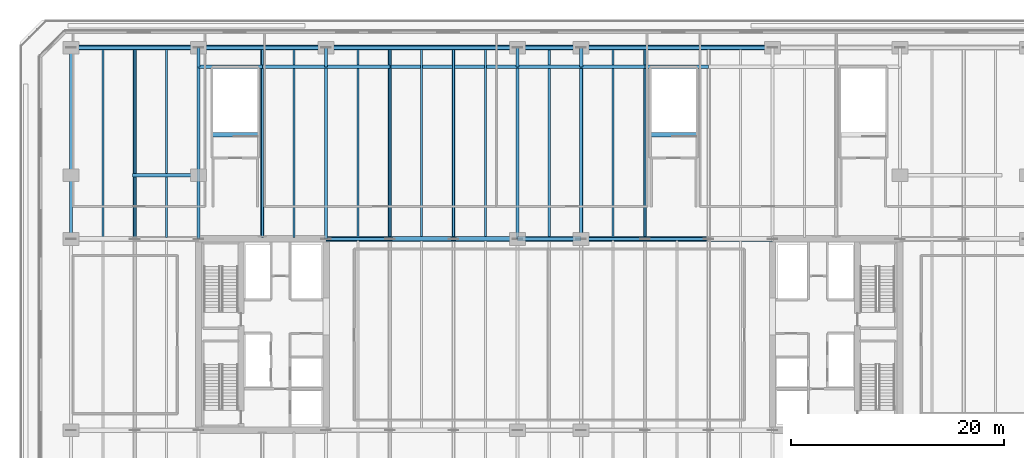
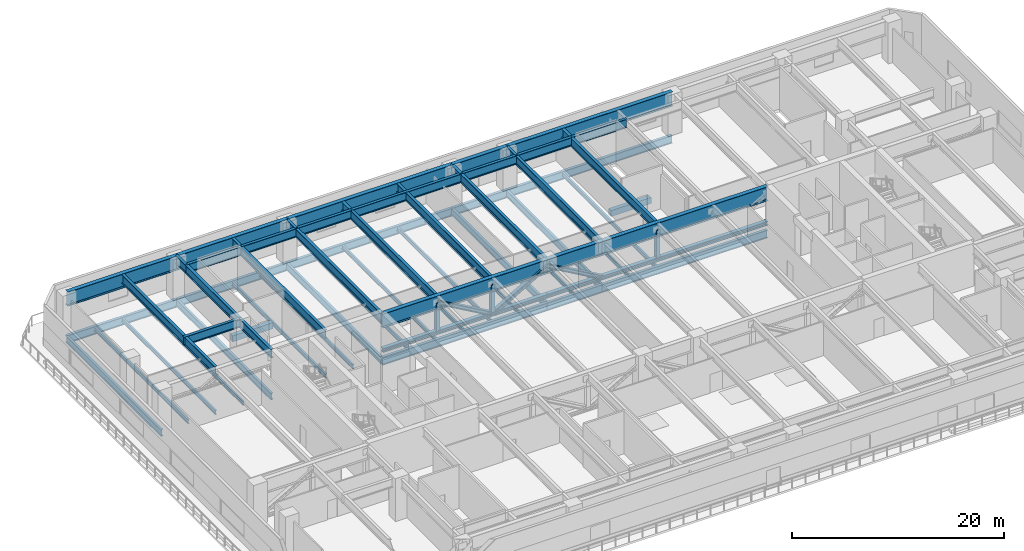
# One storey, part 3 of 25: 58 beams, 9 members.
"""IFC4 building model written with IfcOpenShell, lengths in metres."""

from ifc_helpers import new_model, si_unit, direction, frame, origin, origin_2d, place, context, subcontext, project, spatial, rectangle, i_section, extrude, material, material_profile, profile_set, type_object, element, save


model = new_model("IFC4")

# Units and contexts
model_context = context("Model", 3, precision=1e-05, world=origin(), true_north=direction((0.0, 1.0)))
body_context = subcontext(model_context, "Body", "Model", "MODEL_VIEW")
ifc_project = project(units=[si_unit("LENGTHUNIT", "METRE"), si_unit("AREAUNIT", "SQUARE_METRE"), si_unit("VOLUMEUNIT", "CUBIC_METRE"), si_unit("PLANEANGLEUNIT", "RADIAN"), si_unit("MASSUNIT", "GRAM", prefix="KILO")], contexts=[model_context])

# Site, building, storey
site_placement = place(None, origin())
site = spatial("IfcSite", under=ifc_project, at=site_placement, CompositionType="ELEMENT")
building_placement = place(site_placement, origin())
building = spatial("IfcBuilding", under=site, at=building_placement, Name="Tanjung Sevakor Pilgrim Tower", CompositionType="ELEMENT")
storey_placement = place(building_placement, frame((0.0, 0.0, 24.090087890625)))
storey = spatial("IfcBuildingStorey", under=building, at=storey_placement, Name="L06", CompositionType="ELEMENT", Elevation=24.090087890625)

# Beams
ifc_material_1 = material(Name="Steel S355J2", Category="steel")
ifc_material_profile_1 = material_profile(ifc_material_1, i_section(OverallWidth=0.26806640625, OverallDepth=0.769775390625, WebThickness=0.015625, FlangeThickness=0.025390625, FilletRadius=0.0166015625, at=origin_2d()))
ifc_profile_set_1 = profile_set([ifc_material_profile_1], Name="Steel S355J2")
beam_type_1 = type_object("IfcBeamType", Name="BM-B-G1-UB_762x267x197", PredefinedType="BEAM", material=ifc_profile_set_1)
for number, where, z_axis, x_axis, name in (
    (1, (12.0, 42.60009765625, -0.735107421875), (0.0, 1.0, 0.0), (-1.0, 0.0, 0.0), "L06 Podium Girder NS X12-3"),
    (2, (24.0, 42.60009765625, -0.735107421875), (0.0, 1.0, 0.0), (-1.0, 0.0, 0.0), "L06 Podium Girder NS X24-2"),
    (3, (36.0, 42.60009765625, -0.735107421875), (0.0, 1.0, 0.0), (-1.0, 0.0, 0.0), "L06 Podium Girder NS X36-2"),
    (4, (54.0, 42.60009765625, -0.735107421875), (0.0, 1.0, 0.0), (-1.0, 0.0, 0.0), "L06 Podium Girder NS X54-3"),
    (5, (60.0, 42.60009765625, -0.735107421875), (0.0, 1.0, 0.0), (-1.0, 0.0, 0.0), "L06 Podium Girder NS X60-3"),
):
    element("IfcBeam", number, at=place(storey_placement, frame(where, z_axis=z_axis, x_axis=x_axis)), inside=storey, type_object=beam_type_1, Name=name, PredefinedType="BEAM", context=body_context, shape_type="SweptSolid", body=[
        extrude(i_section(OverallWidth=0.26806640625, OverallDepth=0.769775390625, WebThickness=0.015625, FlangeThickness=0.025390625, FilletRadius=0.0166015625, at=origin_2d()), origin(), (0.0, 0.0, 1.0), 18.0),
    ])
ifc_material_2 = material(Name="Steel S460M", Category="steel")
ifc_material_profile_2 = material_profile(ifc_material_2, i_section(OverallWidth=0.302001953125, OverallDepth=1.008056640625, WebThickness=0.02099609375, FlangeThickness=0.0400390625, FilletRadius=0.030029296875, at=origin_2d()))
ifc_profile_set_2 = profile_set([ifc_material_profile_2], Name="Steel S460M")
beam_type_2 = type_object("IfcBeamType", Name="BM-B-G7-HE_1000M", PredefinedType="BEAM", material=ifc_profile_set_2)
beam_1_placement = place(storey_placement, frame((18.0, 42.824951171875, 4.205810546875), z_axis=(0.0, 1.0, 0.0), x_axis=(-1.0, 0.0, 0.0)))
element("IfcBeam", 6, at=beam_1_placement, inside=storey, type_object=beam_type_2, Name="TC-2 L06 Transfer Truss Chord NS X18.0-3", PredefinedType="BEAM", context=body_context, shape_type="SweptSolid", body=[
    extrude(i_section(OverallWidth=0.302001953125, OverallDepth=1.008056640625, WebThickness=0.02099609375, FlangeThickness=0.0400390625, FilletRadius=0.030029296875, at=origin_2d()), origin(), (0.0, 0.0, 1.0), 17.550048828125),
])
beam_2_placement = place(storey_placement, frame((24.0, 42.60009765625, 4.205810546875), z_axis=(0.0, 1.0, 0.0), x_axis=(-1.0, 0.0, 0.0)))
element("IfcBeam", 7, at=beam_2_placement, inside=storey, type_object=beam_type_2, Name="TC-2 L06 Transfer Truss Chord NS X24.0-4", PredefinedType="BEAM", context=body_context, shape_type="SweptSolid", body=[
    extrude(i_section(OverallWidth=0.302001953125, OverallDepth=1.008056640625, WebThickness=0.02099609375, FlangeThickness=0.0400390625, FilletRadius=0.030029296875, at=origin_2d()), origin(), (0.0, 0.0, 1.0), 6.0),
])
beam_3_placement = place(storey_placement, frame((24.0, 48.60009765625, 4.205810546875), z_axis=(0.0, 1.0, 0.0), x_axis=(-1.0, 0.0, 0.0)))
element("IfcBeam", 8, at=beam_3_placement, inside=storey, type_object=beam_type_2, Name="TC-2 L06 Transfer Truss Chord NS X24.0-5", PredefinedType="BEAM", context=body_context, shape_type="SweptSolid", body=[
    extrude(i_section(OverallWidth=0.302001953125, OverallDepth=1.008056640625, WebThickness=0.02099609375, FlangeThickness=0.0400390625, FilletRadius=0.030029296875, at=origin_2d()), origin(), (0.0, 0.0, 1.0), 10.199951171875),
])
beam_4_placement = place(storey_placement, frame((24.0, 58.800048828125, 4.205810546875), z_axis=(0.0, 1.0, 0.0), x_axis=(-1.0, 0.0, 0.0)))
element("IfcBeam", 9, at=beam_4_placement, inside=storey, type_object=beam_type_2, Name="TC-2 L06 Transfer Truss Chord NS X24.0-6", PredefinedType="BEAM", context=body_context, shape_type="SweptSolid", body=[
    extrude(i_section(OverallWidth=0.302001953125, OverallDepth=1.008056640625, WebThickness=0.02099609375, FlangeThickness=0.0400390625, FilletRadius=0.030029296875, at=origin_2d()), origin(), (0.0, 0.0, 1.0), 1.800048828125),
])
beam_5_placement = place(storey_placement, frame((30.0, 42.824951171875, 4.205810546875), z_axis=(0.0, 1.0, 0.0), x_axis=(-1.0, 0.0, 0.0)))
element("IfcBeam", 10, at=beam_5_placement, inside=storey, type_object=beam_type_2, Name="TC-2 L06 Transfer Truss Chord NS X30.0-2", PredefinedType="BEAM", context=body_context, shape_type="SweptSolid", body=[
    extrude(i_section(OverallWidth=0.302001953125, OverallDepth=1.008056640625, WebThickness=0.02099609375, FlangeThickness=0.0400390625, FilletRadius=0.030029296875, at=origin_2d()), origin(), (0.0, 0.0, 1.0), 17.550048828125),
])
beam_6_placement = place(storey_placement, frame((36.0, 42.60009765625, 4.205810546875), z_axis=(0.0, 1.0, 0.0), x_axis=(-1.0, 0.0, 0.0)))
element("IfcBeam", 11, at=beam_6_placement, inside=storey, type_object=beam_type_2, Name="TC-2 L06 Transfer Truss Chord NS X36.0-3", PredefinedType="BEAM", context=body_context, shape_type="SweptSolid", body=[
    extrude(i_section(OverallWidth=0.302001953125, OverallDepth=1.008056640625, WebThickness=0.02099609375, FlangeThickness=0.0400390625, FilletRadius=0.030029296875, at=origin_2d()), origin(), (0.0, 0.0, 1.0), 16.199951171875),
])
beam_7_placement = place(storey_placement, frame((36.0, 58.800048828125, 4.205810546875), z_axis=(0.0, 1.0, 0.0), x_axis=(-1.0, 0.0, 0.0)))
element("IfcBeam", 12, at=beam_7_placement, inside=storey, type_object=beam_type_2, Name="TC-2 L06 Transfer Truss Chord NS X36.0-4", PredefinedType="BEAM", context=body_context, shape_type="SweptSolid", body=[
    extrude(i_section(OverallWidth=0.302001953125, OverallDepth=1.008056640625, WebThickness=0.02099609375, FlangeThickness=0.0400390625, FilletRadius=0.030029296875, at=origin_2d()), origin(), (0.0, 0.0, 1.0), 1.800048828125),
])
for number, where, z_axis, x_axis, name in (
    (13, (42.0, 42.824951171875, 4.205810546875), (0.0, 1.0, 0.0), (-1.0, 0.0, 0.0), "TC-2 L06 Transfer Truss Chord NS X42.0-3"),
    (14, (48.0, 42.824951171875, 4.205810546875), (0.0, 1.0, 0.0), (-1.0, 0.0, 0.0), "TC-2 L06 Transfer Truss Chord NS X48.0-3"),
):
    element("IfcBeam", number, at=place(storey_placement, frame(where, z_axis=z_axis, x_axis=x_axis)), inside=storey, type_object=beam_type_2, Name=name, PredefinedType="BEAM", context=body_context, shape_type="SweptSolid", body=[
        extrude(i_section(OverallWidth=0.302001953125, OverallDepth=1.008056640625, WebThickness=0.02099609375, FlangeThickness=0.0400390625, FilletRadius=0.030029296875, at=origin_2d()), origin(), (0.0, 0.0, 1.0), 17.550048828125),
    ])
beam_8_placement = place(storey_placement, frame((54.0, 42.60009765625, 4.205810546875), z_axis=(0.0, 1.0, 0.0), x_axis=(-1.0, 0.0, 0.0)))
element("IfcBeam", 15, at=beam_8_placement, inside=storey, type_object=beam_type_2, Name="TC-2 L06 Transfer Truss Chord NS X54.0-4", PredefinedType="BEAM", context=body_context, shape_type="SweptSolid", body=[
    extrude(i_section(OverallWidth=0.302001953125, OverallDepth=1.008056640625, WebThickness=0.02099609375, FlangeThickness=0.0400390625, FilletRadius=0.030029296875, at=origin_2d()), origin(), (0.0, 0.0, 1.0), 16.199951171875),
])
beam_9_placement = place(storey_placement, frame((54.0, 58.800048828125, 4.205810546875), z_axis=(0.0, 1.0, 0.0), x_axis=(-1.0, 0.0, 0.0)))
element("IfcBeam", 16, at=beam_9_placement, inside=storey, type_object=beam_type_2, Name="TC-2 L06 Transfer Truss Chord NS X54.0-5", PredefinedType="BEAM", context=body_context, shape_type="SweptSolid", body=[
    extrude(i_section(OverallWidth=0.302001953125, OverallDepth=1.008056640625, WebThickness=0.02099609375, FlangeThickness=0.0400390625, FilletRadius=0.030029296875, at=origin_2d()), origin(), (0.0, 0.0, 1.0), 1.800048828125),
])
beam_10_placement = place(storey_placement, frame((60.0, 42.60009765625, 4.205810546875), z_axis=(0.0, 1.0, 0.0), x_axis=(-1.0, 0.0, 0.0)))
element("IfcBeam", 17, at=beam_10_placement, inside=storey, type_object=beam_type_2, Name="TC-2 L06 Transfer Truss Chord NS X60.0-4", PredefinedType="BEAM", context=body_context, shape_type="SweptSolid", body=[
    extrude(i_section(OverallWidth=0.302001953125, OverallDepth=1.008056640625, WebThickness=0.02099609375, FlangeThickness=0.0400390625, FilletRadius=0.030029296875, at=origin_2d()), origin(), (0.0, 0.0, 1.0), 16.199951171875),
])
beam_11_placement = place(storey_placement, frame((60.0, 58.800048828125, 4.205810546875), z_axis=(0.0, 1.0, 0.0), x_axis=(-1.0, 0.0, 0.0)))
element("IfcBeam", 18, at=beam_11_placement, inside=storey, type_object=beam_type_2, Name="TC-2 L06 Transfer Truss Chord NS X60.0-5", PredefinedType="BEAM", context=body_context, shape_type="SweptSolid", body=[
    extrude(i_section(OverallWidth=0.302001953125, OverallDepth=1.008056640625, WebThickness=0.02099609375, FlangeThickness=0.0400390625, FilletRadius=0.030029296875, at=origin_2d()), origin(), (0.0, 0.0, 1.0), 1.800048828125),
])
beam_12_placement = place(storey_placement, frame((66.0, 42.824951171875, 4.205810546875), z_axis=(0.0, 1.0, 0.0), x_axis=(-1.0, 0.0, 0.0)))
element("IfcBeam", 19, at=beam_12_placement, inside=storey, type_object=beam_type_2, Name="TC-2 L06 Transfer Truss Chord NS X66.0-3", PredefinedType="BEAM", context=body_context, shape_type="SweptSolid", body=[
    extrude(i_section(OverallWidth=0.302001953125, OverallDepth=1.008056640625, WebThickness=0.02099609375, FlangeThickness=0.0400390625, FilletRadius=0.030029296875, at=origin_2d()), origin(), (0.0, 0.0, 1.0), 17.550048828125),
])
beam_13_placement = place(storey_placement, frame((17.800048828125, 48.60009765625, 4.205810546875), z_axis=(1.0, 0.0, 0.0), x_axis=(0.0, 1.0, 0.0)))
element("IfcBeam", 20, at=beam_13_placement, inside=storey, type_object=beam_type_2, Name="TC-1 L06 Short-End Transfer Girder Y48.6-1", PredefinedType="BEAM", context=body_context, shape_type="SweptSolid", body=[
    extrude(i_section(OverallWidth=0.302001953125, OverallDepth=1.008056640625, WebThickness=0.02099609375, FlangeThickness=0.0400390625, FilletRadius=0.030029296875, at=origin_2d()), origin(), (0.0, 0.0, 1.0), 6.199951171875),
])
for number, where, z_axis, x_axis, name in (
    (21, (24.0, 58.800048828125, 4.205810546875), (1.0, 0.0, 0.0), (0.0, 1.0, 0.0), "TC-3 L06 Transfer Truss Ring Chord Y58.8-01"),
    (22, (30.0, 58.800048828125, 4.205810546875), (1.0, 0.0, 0.0), (0.0, 1.0, 0.0), "TC-3 L06 Transfer Truss Ring Chord Y58.8-02"),
    (23, (36.0, 58.800048828125, 4.205810546875), (1.0, 0.0, 0.0), (0.0, 1.0, 0.0), "TC-3 L06 Transfer Truss Ring Chord Y58.8-03"),
):
    element("IfcBeam", number, at=place(storey_placement, frame(where, z_axis=z_axis, x_axis=x_axis)), inside=storey, type_object=beam_type_2, Name=name, PredefinedType="BEAM", context=body_context, shape_type="SweptSolid", body=[
        extrude(i_section(OverallWidth=0.302001953125, OverallDepth=1.008056640625, WebThickness=0.02099609375, FlangeThickness=0.0400390625, FilletRadius=0.030029296875, at=origin_2d()), origin(), (0.0, 0.0, 1.0), 6.0),
    ])
beam_14_placement = place(storey_placement, frame((42.0, 58.800048828125, 4.205810546875), z_axis=(1.0, 0.0, 0.0), x_axis=(0.0, 1.0, 0.0)))
element("IfcBeam", 24, at=beam_14_placement, inside=storey, type_object=beam_type_2, Name="TC-3 L06 Transfer Truss Ring Chord Y58.8-04", PredefinedType="BEAM", context=body_context, shape_type="SweptSolid", body=[
    extrude(i_section(OverallWidth=0.302001953125, OverallDepth=1.008056640625, WebThickness=0.02099609375, FlangeThickness=0.0400390625, FilletRadius=0.030029296875, at=origin_2d()), origin(), (0.0, 0.0, 1.0), 12.0),
])
for number, where, z_axis, x_axis, name in (
    (25, (54.0, 58.800048828125, 4.205810546875), (1.0, 0.0, 0.0), (0.0, 1.0, 0.0), "TC-3 L06 Transfer Truss Ring Chord Y58.8-05"),
    (26, (60.0, 58.800048828125, 4.205810546875), (1.0, 0.0, 0.0), (0.0, 1.0, 0.0), "TC-3 L06 Transfer Truss Ring Chord Y58.8-06"),
    (27, (66.0, 58.800048828125, 4.205810546875), (1.0, 0.0, 0.0), (0.0, 1.0, 0.0), "TC-3 L06 Transfer Truss Ring Chord Y58.8-07"),
):
    element("IfcBeam", number, at=place(storey_placement, frame(where, z_axis=z_axis, x_axis=x_axis)), inside=storey, type_object=beam_type_2, Name=name, PredefinedType="BEAM", context=body_context, shape_type="SweptSolid", body=[
        extrude(i_section(OverallWidth=0.302001953125, OverallDepth=1.008056640625, WebThickness=0.02099609375, FlangeThickness=0.0400390625, FilletRadius=0.030029296875, at=origin_2d()), origin(), (0.0, 0.0, 1.0), 6.0),
    ])
ifc_material_3 = material(Name="Steel S355J2", Category="steel")
ifc_material_profile_3 = material_profile(ifc_material_3, i_section(OverallWidth=0.19140625, OverallDepth=0.4599609375, WebThickness=0.010009765625, FlangeThickness=0.01611328125, FilletRadius=0.01025390625, at=origin_2d()))
ifc_profile_set_3 = profile_set([ifc_material_profile_3], Name="Steel S355J2")
beam_type_3 = type_object("IfcBeamType", Name="BM-B-J2-UB_457x191x82", PredefinedType="JOIST", material=ifc_profile_set_3)
for number, where, z_axis, x_axis, name in (
    (28, (15.0, 42.752685546875, -0.580078125), (0.0, 1.0, 0.0), (-1.0, 0.0, 0.0), "L06 Secondary Joist 003"),
    (29, (18.0, 42.752685546875, -0.580078125), (0.0, 1.0, 0.0), (-1.0, 0.0, 0.0), "L06 Secondary Joist 006"),
    (30, (21.0, 42.752685546875, -0.580078125), (0.0, 1.0, 0.0), (-1.0, 0.0, 0.0), "L06 Secondary Joist 009"),
    (31, (30.0, 42.752685546875, -0.580078125), (0.0, 1.0, 0.0), (-1.0, 0.0, 0.0), "L06 Secondary Joist 011"),
    (32, (33.0, 42.752685546875, -0.580078125), (0.0, 1.0, 0.0), (-1.0, 0.0, 0.0), "L06 Secondary Joist 013"),
    (33, (39.0, 42.752685546875, -0.580078125), (0.0, 1.0, 0.0), (-1.0, 0.0, 0.0), "L06 Secondary Joist 016"),
    (34, (42.0, 42.752685546875, -0.580078125), (0.0, 1.0, 0.0), (-1.0, 0.0, 0.0), "L06 Secondary Joist 019"),
    (35, (45.0, 42.752685546875, -0.580078125), (0.0, 1.0, 0.0), (-1.0, 0.0, 0.0), "L06 Secondary Joist 021"),
    (36, (48.0, 42.752685546875, -0.580078125), (0.0, 1.0, 0.0), (-1.0, 0.0, 0.0), "L06 Secondary Joist 024"),
    (37, (51.0, 42.752685546875, -0.580078125), (0.0, 1.0, 0.0), (-1.0, 0.0, 0.0), "L06 Secondary Joist 027"),
    (38, (57.0, 42.752685546875, -0.580078125), (0.0, 1.0, 0.0), (-1.0, 0.0, 0.0), "L06 Secondary Joist 030"),
    (39, (63.0, 42.752685546875, -0.580078125), (0.0, 1.0, 0.0), (-1.0, 0.0, 0.0), "L06 Secondary Joist 033"),
    (40, (66.0, 42.752685546875, -0.580078125), (0.0, 1.0, 0.0), (-1.0, 0.0, 0.0), "L06 Secondary Joist 036"),
):
    element("IfcBeam", number, at=place(storey_placement, frame(where, z_axis=z_axis, x_axis=x_axis)), inside=storey, type_object=beam_type_3, Name=name, PredefinedType="JOIST", context=body_context, shape_type="SweptSolid", body=[
        extrude(i_section(OverallWidth=0.19140625, OverallDepth=0.4599609375, WebThickness=0.010009765625, FlangeThickness=0.01611328125, FilletRadius=0.01025390625, at=origin_2d()), origin(), (0.0, 0.0, 1.0), 17.694580078125),
    ])
ifc_material_4 = material(Name="Concrete C60/75", Category="concrete")
ifc_material_profile_4 = material_profile(ifc_material_4, rectangle(XDim=0.449951171875, YDim=0.699951171875, at=origin_2d()))
ifc_profile_set_4 = profile_set([ifc_material_profile_4], Name="Concrete C60/75")
beam_type_4 = type_object("IfcBeamType", Name="BM-B-LN3-RC-BM_450x700", PredefinedType="LINTEL", material=ifc_profile_set_4)
for number, where, z_axis, x_axis, name in (
    (41, (25.25, 52.39990234375, -0.35009765625), (1.0, 0.0, 0.0), (0.0, 1.0, 0.0), "L06 PS-2 Stair Threshold Beam"),
    (42, (66.5, 52.39990234375, -0.35009765625), (1.0, 0.0, 0.0), (0.0, 1.0, 0.0), "L06 PS-4 Stair Threshold Beam"),
):
    element("IfcBeam", number, at=place(storey_placement, frame(where, z_axis=z_axis, x_axis=x_axis)), inside=storey, type_object=beam_type_4, Name=name, PredefinedType="LINTEL", context=body_context, shape_type="SweptSolid", body=[
        extrude(rectangle(XDim=0.449951171875, YDim=0.699951171875, at=origin_2d()), origin(), (0.0, 0.0, 1.0), 4.39990234375),
    ])
ifc_material_5 = material(Name="Steel S355J2", Category="steel")
ifc_material_profile_5 = material_profile(ifc_material_5, i_section(OverallWidth=0.305419921875, OverallDepth=0.91845703125, WebThickness=0.017333984375, FlangeThickness=0.02783203125, FilletRadius=0.01904296875, at=origin_2d()))
ifc_profile_set_5 = profile_set([ifc_material_profile_5], Name="Steel S355J2")
beam_type_5 = type_object("IfcBeamType", Name="BM-B-POD2-UB_914x305x253", PredefinedType="BEAM", material=ifc_profile_set_5)
beam_15_placement = place(storey_placement, frame((36.0, 42.60009765625, -0.809326171875), z_axis=(1.0, 0.0, 0.0), x_axis=(0.0, 1.0, 0.0)))
element("IfcBeam", 43, at=beam_15_placement, inside=storey, type_object=beam_type_5, Name="L06 Podium Girder EW Y42.6-2", PredefinedType="BEAM", context=body_context, shape_type="SweptSolid", body=[
    extrude(i_section(OverallWidth=0.305419921875, OverallDepth=0.91845703125, WebThickness=0.017333984375, FlangeThickness=0.02783203125, FilletRadius=0.01904296875, at=origin_2d()), origin(), (0.0, 0.0, 1.0), 18.0),
])
beam_16_placement = place(storey_placement, frame((54.0, 42.60009765625, -0.809326171875), z_axis=(1.0, 0.0, 0.0), x_axis=(0.0, 1.0, 0.0)))
element("IfcBeam", 44, at=beam_16_placement, inside=storey, type_object=beam_type_5, Name="L06 Podium Girder EW Y42.6-3", PredefinedType="BEAM", context=body_context, shape_type="SweptSolid", body=[
    extrude(i_section(OverallWidth=0.305419921875, OverallDepth=0.91845703125, WebThickness=0.017333984375, FlangeThickness=0.02783203125, FilletRadius=0.01904296875, at=origin_2d()), origin(), (0.0, 0.0, 1.0), 6.0),
])
beam_17_placement = place(storey_placement, frame((60.0, 42.60009765625, -0.809326171875), z_axis=(1.0, 0.0, 0.0), x_axis=(0.0, 1.0, 0.0)))
element("IfcBeam", 45, at=beam_17_placement, inside=storey, type_object=beam_type_5, Name="L06 Podium Girder EW Y42.6-4", PredefinedType="BEAM", context=body_context, shape_type="SweptSolid", body=[
    extrude(i_section(OverallWidth=0.305419921875, OverallDepth=0.91845703125, WebThickness=0.017333984375, FlangeThickness=0.02783203125, FilletRadius=0.01904296875, at=origin_2d()), origin(), (0.0, 0.0, 1.0), 18.0),
])
for number, where, z_axis, x_axis, name in (
    (46, (12.0, 60.60009765625, -0.809326171875), (1.0, 0.0, 0.0), (0.0, 1.0, 0.0), "L06 Podium Girder EW Y60.6-1"),
    (47, (24.0, 60.60009765625, -0.809326171875), (1.0, 0.0, 0.0), (0.0, 1.0, 0.0), "L06 Podium Girder EW Y60.6-2"),
):
    element("IfcBeam", number, at=place(storey_placement, frame(where, z_axis=z_axis, x_axis=x_axis)), inside=storey, type_object=beam_type_5, Name=name, PredefinedType="BEAM", context=body_context, shape_type="SweptSolid", body=[
        extrude(i_section(OverallWidth=0.305419921875, OverallDepth=0.91845703125, WebThickness=0.017333984375, FlangeThickness=0.02783203125, FilletRadius=0.01904296875, at=origin_2d()), origin(), (0.0, 0.0, 1.0), 12.0),
    ])
beam_18_placement = place(storey_placement, frame((36.0, 60.60009765625, -0.809326171875), z_axis=(1.0, 0.0, 0.0), x_axis=(0.0, 1.0, 0.0)))
element("IfcBeam", 48, at=beam_18_placement, inside=storey, type_object=beam_type_5, Name="L06 Podium Girder EW Y60.6-3", PredefinedType="BEAM", context=body_context, shape_type="SweptSolid", body=[
    extrude(i_section(OverallWidth=0.305419921875, OverallDepth=0.91845703125, WebThickness=0.017333984375, FlangeThickness=0.02783203125, FilletRadius=0.01904296875, at=origin_2d()), origin(), (0.0, 0.0, 1.0), 18.0),
])
beam_19_placement = place(storey_placement, frame((54.0, 60.60009765625, -0.809326171875), z_axis=(1.0, 0.0, 0.0), x_axis=(0.0, 1.0, 0.0)))
element("IfcBeam", 49, at=beam_19_placement, inside=storey, type_object=beam_type_5, Name="L06 Podium Girder EW Y60.6-4", PredefinedType="BEAM", context=body_context, shape_type="SweptSolid", body=[
    extrude(i_section(OverallWidth=0.305419921875, OverallDepth=0.91845703125, WebThickness=0.017333984375, FlangeThickness=0.02783203125, FilletRadius=0.01904296875, at=origin_2d()), origin(), (0.0, 0.0, 1.0), 6.0),
])
beam_20_placement = place(storey_placement, frame((60.0, 60.60009765625, -0.809326171875), z_axis=(1.0, 0.0, 0.0), x_axis=(0.0, 1.0, 0.0)))
element("IfcBeam", 50, at=beam_20_placement, inside=storey, type_object=beam_type_5, Name="L06 Podium Girder EW Y60.6-5", PredefinedType="BEAM", context=body_context, shape_type="SweptSolid", body=[
    extrude(i_section(OverallWidth=0.305419921875, OverallDepth=0.91845703125, WebThickness=0.017333984375, FlangeThickness=0.02783203125, FilletRadius=0.01904296875, at=origin_2d()), origin(), (0.0, 0.0, 1.0), 18.0),
])
ifc_material_6 = material(Name="Steel S460M", Category="steel")
ifc_material_profile_6 = material_profile(ifc_material_6, i_section(OverallWidth=0.449951171875, OverallDepth=1.64990234375, WebThickness=0.02392578125, FlangeThickness=0.0400390625, FilletRadius=0.02392578125, at=origin_2d()))
ifc_profile_set_6 = profile_set([ifc_material_profile_6], Name="Steel S460M")
beam_type_6 = type_object("IfcBeamType", Name="BM-B-TC1-PG_1650x450x40", PredefinedType="USERDEFINED", material=ifc_profile_set_6)
beam_21_placement = place(storey_placement, frame((36.0, 42.60009765625, 3.885009765625), z_axis=(1.0, 0.0, 0.0), x_axis=(0.0, 1.0, 0.0)))
element("IfcBeam", 51, at=beam_21_placement, inside=storey, type_object=beam_type_6, Name="TC-1 L06 Transfer Truss Top Chord Y42.6 S2", ObjectType="TRANSFER CHORD", PredefinedType="USERDEFINED", context=body_context, shape_type="SweptSolid", body=[
    extrude(i_section(OverallWidth=0.449951171875, OverallDepth=1.64990234375, WebThickness=0.02392578125, FlangeThickness=0.0400390625, FilletRadius=0.02392578125, at=origin_2d()), origin(), (0.0, 0.0, 1.0), 18.0),
])
beam_22_placement = place(storey_placement, frame((54.0, 42.60009765625, 3.885009765625), z_axis=(1.0, 0.0, 0.0), x_axis=(0.0, 1.0, 0.0)))
element("IfcBeam", 52, at=beam_22_placement, inside=storey, type_object=beam_type_6, Name="TC-1 L06 Transfer Truss Top Chord Y42.6 S3", ObjectType="TRANSFER CHORD", PredefinedType="USERDEFINED", context=body_context, shape_type="SweptSolid", body=[
    extrude(i_section(OverallWidth=0.449951171875, OverallDepth=1.64990234375, WebThickness=0.02392578125, FlangeThickness=0.0400390625, FilletRadius=0.02392578125, at=origin_2d()), origin(), (0.0, 0.0, 1.0), 6.0),
])
beam_23_placement = place(storey_placement, frame((60.0, 42.60009765625, 3.885009765625), z_axis=(1.0, 0.0, 0.0), x_axis=(0.0, 1.0, 0.0)))
element("IfcBeam", 53, at=beam_23_placement, inside=storey, type_object=beam_type_6, Name="TC-1 L06 Transfer Truss Top Chord Y42.6 S4", ObjectType="TRANSFER CHORD", PredefinedType="USERDEFINED", context=body_context, shape_type="SweptSolid", body=[
    extrude(i_section(OverallWidth=0.449951171875, OverallDepth=1.64990234375, WebThickness=0.02392578125, FlangeThickness=0.0400390625, FilletRadius=0.02392578125, at=origin_2d()), origin(), (0.0, 0.0, 1.0), 18.0),
])
for number, where, z_axis, x_axis, name in (
    (54, (12.0, 60.60009765625, 3.885009765625), (1.0, 0.0, 0.0), (0.0, 1.0, 0.0), "TC-1 L06 Transfer Truss Top Chord Y60.6 S1"),
    (55, (24.0, 60.60009765625, 3.885009765625), (1.0, 0.0, 0.0), (0.0, 1.0, 0.0), "TC-1 L06 Transfer Truss Top Chord Y60.6 S2"),
):
    element("IfcBeam", number, at=place(storey_placement, frame(where, z_axis=z_axis, x_axis=x_axis)), inside=storey, type_object=beam_type_6, Name=name, ObjectType="TRANSFER CHORD", PredefinedType="USERDEFINED", context=body_context, shape_type="SweptSolid", body=[
        extrude(i_section(OverallWidth=0.449951171875, OverallDepth=1.64990234375, WebThickness=0.02392578125, FlangeThickness=0.0400390625, FilletRadius=0.02392578125, at=origin_2d()), origin(), (0.0, 0.0, 1.0), 12.0),
    ])
beam_24_placement = place(storey_placement, frame((36.0, 60.60009765625, 3.885009765625), z_axis=(1.0, 0.0, 0.0), x_axis=(0.0, 1.0, 0.0)))
element("IfcBeam", 56, at=beam_24_placement, inside=storey, type_object=beam_type_6, Name="TC-1 L06 Transfer Truss Top Chord Y60.6 S3", ObjectType="TRANSFER CHORD", PredefinedType="USERDEFINED", context=body_context, shape_type="SweptSolid", body=[
    extrude(i_section(OverallWidth=0.449951171875, OverallDepth=1.64990234375, WebThickness=0.02392578125, FlangeThickness=0.0400390625, FilletRadius=0.02392578125, at=origin_2d()), origin(), (0.0, 0.0, 1.0), 18.0),
])
beam_25_placement = place(storey_placement, frame((54.0, 60.60009765625, 3.885009765625), z_axis=(1.0, 0.0, 0.0), x_axis=(0.0, 1.0, 0.0)))
element("IfcBeam", 57, at=beam_25_placement, inside=storey, type_object=beam_type_6, Name="TC-1 L06 Transfer Truss Top Chord Y60.6 S4", ObjectType="TRANSFER CHORD", PredefinedType="USERDEFINED", context=body_context, shape_type="SweptSolid", body=[
    extrude(i_section(OverallWidth=0.449951171875, OverallDepth=1.64990234375, WebThickness=0.02392578125, FlangeThickness=0.0400390625, FilletRadius=0.02392578125, at=origin_2d()), origin(), (0.0, 0.0, 1.0), 6.0),
])
beam_26_placement = place(storey_placement, frame((60.0, 60.60009765625, 3.885009765625), z_axis=(1.0, 0.0, 0.0), x_axis=(0.0, 1.0, 0.0)))
element("IfcBeam", 58, at=beam_26_placement, inside=storey, type_object=beam_type_6, Name="TC-1 L06 Transfer Truss Top Chord Y60.6 S5", ObjectType="TRANSFER CHORD", PredefinedType="USERDEFINED", context=body_context, shape_type="SweptSolid", body=[
    extrude(i_section(OverallWidth=0.449951171875, OverallDepth=1.64990234375, WebThickness=0.02392578125, FlangeThickness=0.0400390625, FilletRadius=0.02392578125, at=origin_2d()), origin(), (0.0, 0.0, 1.0), 18.0),
])

# Members
ifc_material_7 = material(Name="Steel S460M", Category="steel")
ifc_material_profile_7 = material_profile(ifc_material_7, i_section(OverallWidth=0.412109375, OverallDepth=0.43505859375, WebThickness=0.035888671875, FlangeThickness=0.054931640625, FilletRadius=0.014892578125, at=origin_2d()))
ifc_profile_set_7 = profile_set([ifc_material_profile_7], Name="Steel S460M")
member_type_1 = type_object("IfcMemberType", Name="MEM-M-BR1-HD_400x463", PredefinedType="BRACE", material=ifc_profile_set_7)
for number, where, z_axis, x_axis, name in (
    (59, (42.0, 42.60009765625, 3.885009765625), (0.867838662316, 0.0, -0.496846109163), (0.0, 1.0, 0.0), "TD-1 L06 Transfer Truss Diagonal Brace Y42.6 P4"),
    (60, (48.0, 42.60009765625, 0.449951171875), (0.867838662316, 0.0, 0.496846109163), (0.0, 1.0, 0.0), "TD-1 L06 Transfer Truss Diagonal Brace Y42.6 P5"),
    (61, (54.0, 42.60009765625, 3.885009765625), (0.867838662316, 0.0, -0.496846109163), (0.0, 1.0, 0.0), "TD-1 L06 Transfer Truss Diagonal Brace Y42.6 P6"),
):
    element("IfcMember", number, at=place(storey_placement, frame(where, z_axis=z_axis, x_axis=x_axis)), inside=storey, type_object=member_type_1, Name=name, PredefinedType="BRACE", context=body_context, shape_type="SweptSolid", body=[
        extrude(i_section(OverallWidth=0.412109375, OverallDepth=0.43505859375, WebThickness=0.035888671875, FlangeThickness=0.054931640625, FilletRadius=0.014892578125, at=origin_2d()), origin(), (0.0, 0.0, 1.0), 6.913818359375),
    ])
ifc_material_8 = material(Name="Steel S460M", Category="steel")
ifc_material_profile_8 = material_profile(ifc_material_8, i_section(OverallWidth=0.4208984375, OverallDepth=0.465087890625, WebThickness=0.044921875, FlangeThickness=0.070068359375, FilletRadius=0.014892578125, at=origin_2d()))
ifc_profile_set_8 = profile_set([ifc_material_profile_8], Name="Steel S460M")
member_type_2 = type_object("IfcMemberType", Name="MEM-M-CH1-HD_400x592", PredefinedType="CHORD", material=ifc_profile_set_8)
member_1_placement = place(storey_placement, frame((36.0, 42.60009765625, 0.449951171875), z_axis=(1.0, 0.0, 0.0), x_axis=(0.0, 1.0, 0.0)))
element("IfcMember", 62, at=member_1_placement, inside=storey, type_object=member_type_2, Name="BC-1 L06 Transfer Truss Bottom Chord Y42.6 S2", PredefinedType="CHORD", context=body_context, shape_type="SweptSolid", body=[
    extrude(i_section(OverallWidth=0.4208984375, OverallDepth=0.465087890625, WebThickness=0.044921875, FlangeThickness=0.070068359375, FilletRadius=0.014892578125, at=origin_2d()), origin(), (0.0, 0.0, 1.0), 18.0),
])
member_2_placement = place(storey_placement, frame((54.0, 42.60009765625, 0.449951171875), z_axis=(1.0, 0.0, 0.0), x_axis=(0.0, 1.0, 0.0)))
element("IfcMember", 63, at=member_2_placement, inside=storey, type_object=member_type_2, Name="BC-1 L06 Transfer Truss Bottom Chord Y42.6 S3", PredefinedType="CHORD", context=body_context, shape_type="SweptSolid", body=[
    extrude(i_section(OverallWidth=0.4208984375, OverallDepth=0.465087890625, WebThickness=0.044921875, FlangeThickness=0.070068359375, FilletRadius=0.014892578125, at=origin_2d()), origin(), (0.0, 0.0, 1.0), 6.0),
])
member_3_placement = place(storey_placement, frame((60.0, 42.60009765625, 0.449951171875), z_axis=(1.0, 0.0, 0.0), x_axis=(0.0, 1.0, 0.0)))
element("IfcMember", 64, at=member_3_placement, inside=storey, type_object=member_type_2, Name="BC-1 L06 Transfer Truss Bottom Chord Y42.6 S4", PredefinedType="CHORD", context=body_context, shape_type="SweptSolid", body=[
    extrude(i_section(OverallWidth=0.4208984375, OverallDepth=0.465087890625, WebThickness=0.044921875, FlangeThickness=0.070068359375, FilletRadius=0.014892578125, at=origin_2d()), origin(), (0.0, 0.0, 1.0), 18.0),
])
ifc_material_9 = material(Name="Steel S460M", Category="steel")
ifc_material_profile_9 = material_profile(ifc_material_9, i_section(OverallWidth=0.406982421875, OverallDepth=0.4189453125, WebThickness=0.030517578125, FlangeThickness=0.04931640625, FilletRadius=0.01513671875, at=origin_2d()))
ifc_profile_set_9 = profile_set([ifc_material_profile_9], Name="Steel S460M")
member_type_3 = type_object("IfcMemberType", Name="MEM-M-ST1-UC_356x406x393", PredefinedType="STRUT", material=ifc_profile_set_9)
for number, where, z_axis, x_axis, name in (
    (65, (42.0, 42.60009765625, 0.449951171875), (0.0, 0.0, 1.0), (1.0, 0.0, 0.0), "TV-1 L06 Transfer Truss Vertical Strut X42 Y42.6"),
    (66, (48.0, 42.60009765625, 0.449951171875), (0.0, 0.0, 1.0), (1.0, 0.0, 0.0), "TV-1 L06 Transfer Truss Vertical Strut X48 Y42.6"),
    (67, (66.0, 42.60009765625, 0.449951171875), (0.0, 0.0, 1.0), (1.0, 0.0, 0.0), "TV-1 L06 Transfer Truss Vertical Strut X66 Y42.6"),
):
    element("IfcMember", number, at=place(storey_placement, frame(where, z_axis=z_axis, x_axis=x_axis)), inside=storey, type_object=member_type_3, Name=name, PredefinedType="STRUT", context=body_context, shape_type="SweptSolid", body=[
        extrude(i_section(OverallWidth=0.406982421875, OverallDepth=0.4189453125, WebThickness=0.030517578125, FlangeThickness=0.04931640625, FilletRadius=0.01513671875, at=origin_2d()), origin(), (0.0, 0.0, 1.0), 3.43505859375),
    ])

save(model, "model.ifc")
